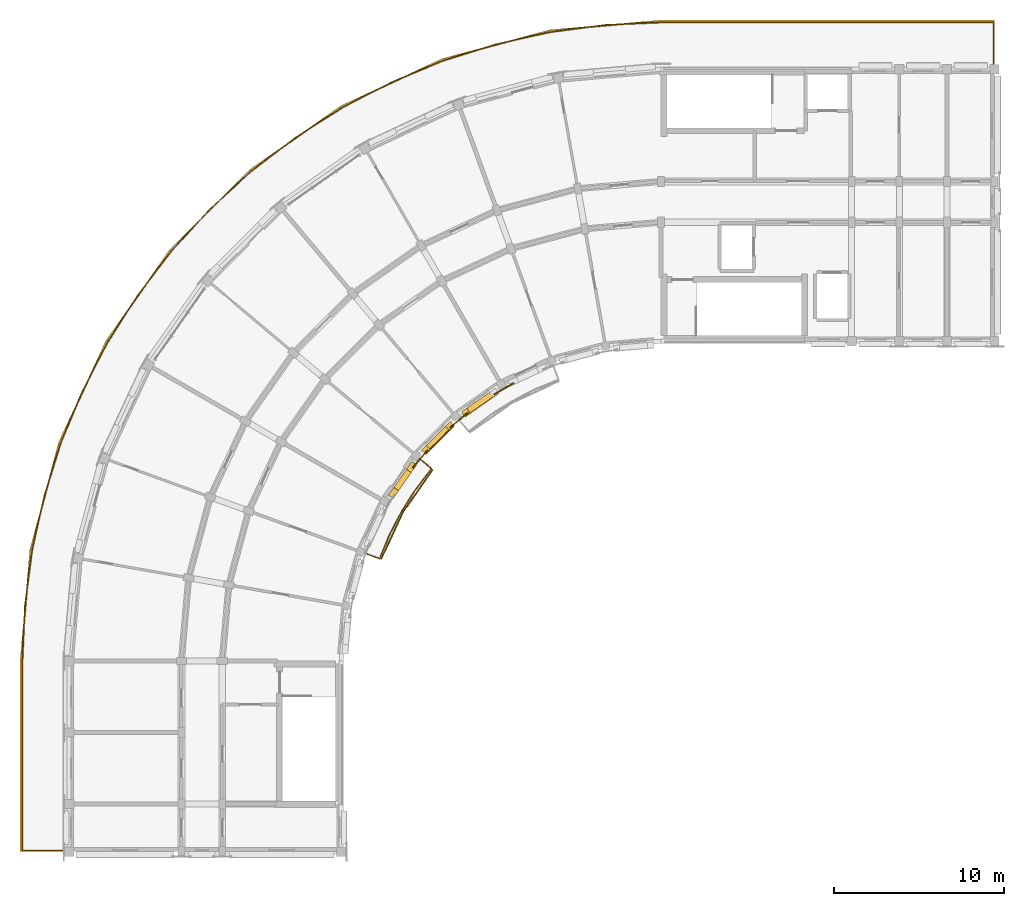
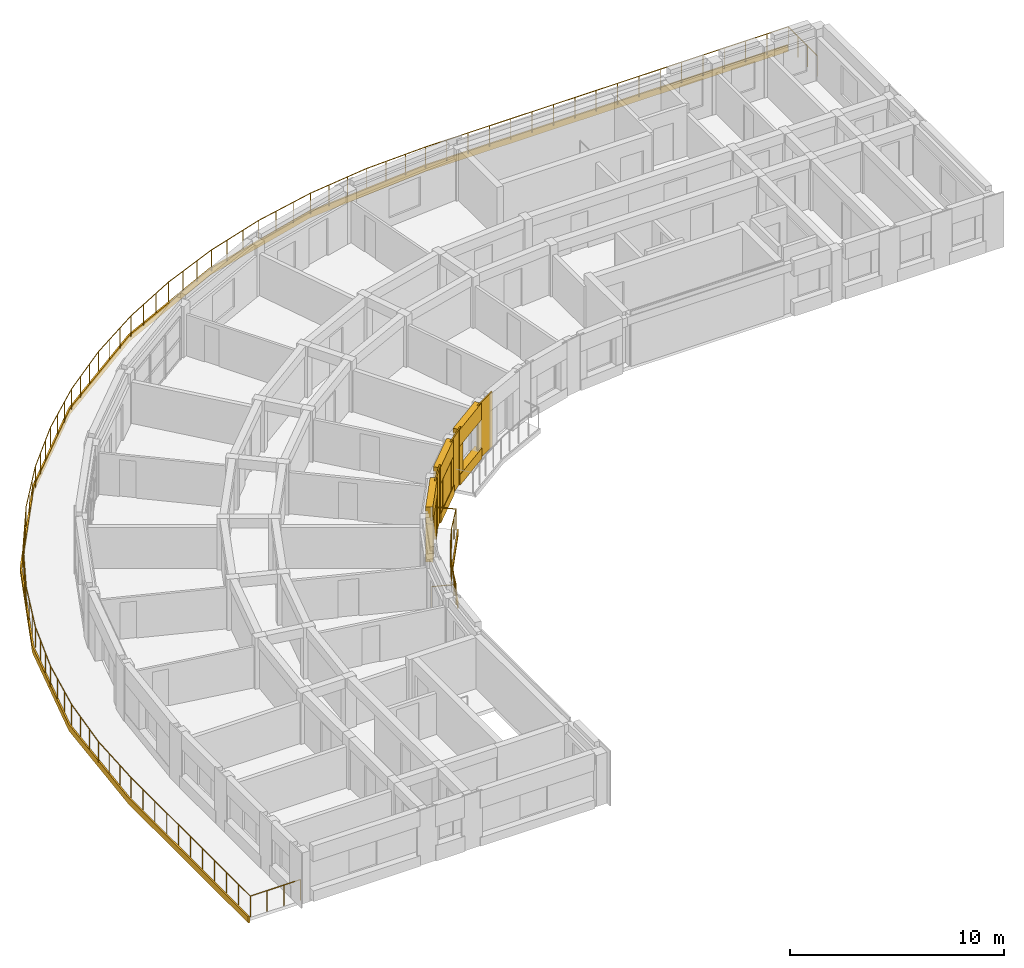
# One storey, part 12 of 14: 15 coverings, 2 railings, 1 shading device.
"""IFC4 building model written with IfcOpenShell, lengths in metres."""

import ifcopenshell
import ifcopenshell.guid

model = None  # the IFC model being written
_history = None  # IfcOwnerHistory: only IFC2X3 demands one
_inside = {}  # id of a spatial element -> (the spatial element, [elements in it])
_under = {}  # id of a project, library or spatial element -> (it, [spatial elements below it])
_declared = {}  # id of a project -> (the project, [libraries it declares])
_typed = {}  # id of a type object -> (the type object, [elements of that type])
_made_of = {}  # id of a material, layer set ... -> (it, [elements and type objects made of it])


def new_model(schema):
    """Start an empty IFC model of exactly this schema.

    Asked for "IFC4X3", IfcOpenShell would pick the latest addendum, in which some entities
    have other attributes; the version numbers below select the first issue.
    IFC2X3 requires an IfcOwnerHistory on every rooted entity: one is made here for all.
    """
    global model, _history
    if schema == "IFC4X3":
        model = ifcopenshell.file(schema_version=(4, 3, 0, 0))
    else:
        model = ifcopenshell.file(schema=schema)
    _inside.clear()
    _under.clear()
    _declared.clear()
    _typed.clear()
    _made_of.clear()
    _history = None
    if model.schema == "IFC2X3":
        org = make("IfcOrganization", Name="unknown")
        user = make(
            "IfcPersonAndOrganization",
            ThePerson=make("IfcPerson", FamilyName="unknown"),
            TheOrganization=org,
        )
        app = make(
            "IfcApplication",
            ApplicationDeveloper=org,
            Version="unknown",
            ApplicationFullName="unknown",
            ApplicationIdentifier="unknown",
        )
        _history = make(
            "IfcOwnerHistory",
            OwningUser=user,
            OwningApplication=app,
            ChangeAction="ADDED",
            CreationDate=0,
        )
    return model


def make(cls, **values):
    """One entity of the class cls with the attributes given. An attribute that is None is left unset."""
    return model.create_entity(
        cls, **{name: value for name, value in values.items() if value is not None}
    )


def rooted(cls, **values):
    """An entity with a GlobalId (a new one), such as an element, a storey or a relation."""
    return make(cls, GlobalId=ifcopenshell.guid.new(), OwnerHistory=_history, **values)


def si_unit(unit_type, name, prefix=None):
    """IfcSIUnit, for example si_unit("LENGTHUNIT", "METRE", prefix="MILLI")."""
    return make("IfcSIUnit", UnitType=unit_type, Prefix=prefix, Name=name)


def assignment(units):
    """IfcUnitAssignment: the units of a project."""
    return None if units is None else make("IfcUnitAssignment", Units=units)


def point(xyz):
    """IfcCartesianPoint."""
    return None if xyz is None else make("IfcCartesianPoint", Coordinates=xyz)


def direction(xyz):
    """IfcDirection."""
    return None if xyz is None else make("IfcDirection", DirectionRatios=xyz)


def frame(location, z_axis=None, x_axis=None):
    """IfcAxis2Placement3D, a coordinate frame: its origin and axes. An axis left out is left unset."""
    return make(
        "IfcAxis2Placement3D",
        Location=point(location),
        Axis=direction(z_axis),
        RefDirection=direction(x_axis),
    )


def frame_2d(location, x_axis=None):
    """IfcAxis2Placement2D, a coordinate frame in the plane: its origin and x axis."""
    return make(
        "IfcAxis2Placement2D", Location=point(location), RefDirection=direction(x_axis)
    )


def origin():
    """The frame at (0, 0, 0) with its axes left unset."""
    return frame((0.0, 0.0, 0.0))


def origin_2d():
    """The frame at (0, 0) in the plane with its x axis left unset."""
    return frame_2d((0.0, 0.0))


def place(relative_to, where):
    """IfcLocalPlacement: puts the frame where relative to a parent placement (None: the world)."""
    return make(
        "IfcLocalPlacement", PlacementRelTo=relative_to, RelativePlacement=where
    )


def context(
    kind, dimensions, precision=None, world=None, true_north=None, identifier=None
):
    """IfcGeometricRepresentationContext, for example the 3D "Model" context."""
    return make(
        "IfcGeometricRepresentationContext",
        ContextIdentifier=identifier,
        ContextType=kind,
        CoordinateSpaceDimension=dimensions,
        Precision=precision,
        WorldCoordinateSystem=world,
        TrueNorth=true_north,
    )


def subcontext(parent, identifier, kind, view, scale=None):
    """IfcGeometricRepresentationSubContext, for example "Body" below "Model"."""
    return make(
        "IfcGeometricRepresentationSubContext",
        ContextIdentifier=identifier,
        ContextType=kind,
        ParentContext=parent,
        TargetScale=scale,
        TargetView=view,
    )


def project(units=None, contexts=None):
    """IfcProject with its units and contexts."""
    return rooted(
        "IfcProject",
        Name="project",
        RepresentationContexts=contexts,
        UnitsInContext=assignment(units),
    )


def spatial(cls, under=None, at=None, **own):
    """A site, building, storey or space (cls), placed at a placement, below another one or the project."""
    s = rooted(cls, ObjectPlacement=at, **own)
    if under is not None:
        _under.setdefault(under.id(), (under, []))[1].append(s)
    return s


def polyline(points):
    """IfcPolyline through the points."""
    return make("IfcPolyline", Points=[point(p) for p in points])


def profile(cls, at=None, kind="AREA", **sizes):
    """A parametric profile (cls). Its sizes go by their IFC names, for example OverallWidth=200.0."""
    return make(cls, ProfileType=kind, Position=at, **sizes)


def rectangle(**sizes):
    """IfcRectangleProfileDef."""
    return profile("IfcRectangleProfileDef", **sizes)


def circle(**sizes):
    """IfcCircleProfileDef."""
    return profile("IfcCircleProfileDef", **sizes)


def outline(outer, holes=None, kind="AREA"):
    """IfcArbitraryClosedProfileDef: a profile drawn as a closed curve; with holes, ...WithVoids."""
    if holes is None:
        return make("IfcArbitraryClosedProfileDef", ProfileType=kind, OuterCurve=outer)
    return make(
        "IfcArbitraryProfileDefWithVoids",
        ProfileType=kind,
        OuterCurve=outer,
        InnerCurves=holes,
    )


def extrude(swept, where, along, depth):
    """IfcExtrudedAreaSolid: the profile swept, set in the frame where, extruded along a direction by depth."""
    return make(
        "IfcExtrudedAreaSolid",
        SweptArea=swept,
        Position=where,
        ExtrudedDirection=direction(along),
        Depth=depth,
    )


def shape(context_of_items, identifier, shape_type, items):
    """IfcShapeRepresentation: the items that make up one representation, for example the "Body"."""
    return make(
        "IfcShapeRepresentation",
        ContextOfItems=context_of_items,
        RepresentationIdentifier=identifier,
        RepresentationType=shape_type,
        Items=items,
    )


def material(Name=None, Category=None):
    """IfcMaterial."""
    return make("IfcMaterial", Name=Name, Category=Category)


def layer(
    of_material, thickness, ventilated=None, Name=None, Category=None, Priority=None
):
    """IfcMaterialLayer: one layer of a wall or slab, of a material (None: an air gap)."""
    return make(
        "IfcMaterialLayer",
        Material=of_material,
        LayerThickness=thickness,
        IsVentilated=ventilated,
        Name=Name,
        Category=Category,
        Priority=Priority,
    )


def layer_set(layers, Name=None):
    """IfcMaterialLayerSet."""
    return make("IfcMaterialLayerSet", MaterialLayers=layers, LayerSetName=Name)


def made_of(thing, what):
    """Note that an element or type object is made of a material, layer set ...; save() writes the relation."""
    if what is not None:
        _made_of.setdefault(what.id(), (what, []))[1].append(thing)
    return thing


def type_object(cls, material=None, **own):
    """A type object (cls), such as IfcWallType, which elements share."""
    return made_of(rooted(cls, **own), material)


def element(
    cls,
    number,
    at=None,
    inside=None,
    cuts=None,
    type_object=None,
    material=None,
    context=None,
    identifier="Body",
    shape_type=None,
    held_by="IfcProductDefinitionShape",
    body=None,
    shapes=None,
    **own,
):
    """One element of the class cls, such as IfcWall. Its Tag is "e" and its number.

    at: its placement. inside: the storey or other place that contains it. cuts: it is an
    opening in that element (IfcRelVoidsElement). A single representation is given by context,
    identifier, shape_type and body (its items); several are given by shapes. held_by: the class
    of the entity that holds the representations. save() writes the other relations.
    """
    e = rooted(cls, Tag="e%d" % number, ObjectPlacement=at, **own)
    if body is not None:
        shapes = [shape(context, identifier, shape_type, body)]
    if shapes is not None:
        e.Representation = make(held_by, Representations=shapes)
    if inside is not None:
        _inside.setdefault(inside.id(), (inside, []))[1].append(e)
    if cuts is not None:
        rooted(
            "IfcRelVoidsElement", RelatingBuildingElement=cuts, RelatedOpeningElement=e
        )
    if type_object is not None:
        _typed.setdefault(type_object.id(), (type_object, []))[1].append(e)
    return made_of(e, material)


def aggregate(whole, parts):
    """IfcRelAggregates: a whole, such as a stair, and the parts it consists of."""
    return rooted("IfcRelAggregates", RelatingObject=whole, RelatedObjects=parts)


def save(model, path):
    """Write the relations noted so far, then the file.

    IfcRelAggregates (storeys below a building ...), IfcRelContainedInSpatialStructure (elements
    in a storey), IfcRelDefinesByType, IfcRelAssociatesMaterial and IfcRelDeclares: one each for
    every whole, place, type object, material and project.
    """
    for whole, parts in _under.values():
        aggregate(whole, parts)
    for where, things in _inside.values():
        rooted(
            "IfcRelContainedInSpatialStructure",
            RelatedElements=things,
            RelatingStructure=where,
        )
    for kind, things in _typed.values():
        rooted("IfcRelDefinesByType", RelatedObjects=things, RelatingType=kind)
    for what, things in _made_of.values():
        rooted("IfcRelAssociatesMaterial", RelatedObjects=things, RelatingMaterial=what)
    for by, libraries in _declared.values():
        rooted("IfcRelDeclares", RelatingContext=by, RelatedDefinitions=libraries)
    model.write(path)


model = new_model("IFC4")

# Units and contexts
model_context = context("Model", 3, precision=1e-05, world=origin(), true_north=direction((0.0, 1.0)))
body_context = subcontext(model_context, "Body", "Model", "MODEL_VIEW")
ifc_project = project(units=[si_unit("LENGTHUNIT", "METRE"), si_unit("AREAUNIT", "SQUARE_METRE"), si_unit("VOLUMEUNIT", "CUBIC_METRE"), si_unit("PLANEANGLEUNIT", "RADIAN"), si_unit("MASSUNIT", "GRAM", prefix="KILO")], contexts=[model_context])

# Site, building, storey
site_placement = place(None, origin())
site = spatial("IfcSite", under=ifc_project, at=site_placement, CompositionType="ELEMENT")
building_placement = place(site_placement, origin())
building = spatial("IfcBuilding", under=site, at=building_placement, Name="Kiranvali Square Residences", CompositionType="ELEMENT")
storey_placement = place(building_placement, frame((0.0, 0.0, 49.64990234375)))
storey = spatial("IfcBuildingStorey", under=building, at=storey_placement, Name="L15", CompositionType="ELEMENT", Elevation=49.64990234375)

# Coverings
ifc_material_1 = material(Name="Carved Porbandar limestone classical entablature and cornice", Category="masonry")
ifc_layer_1 = layer(ifc_material_1, 0.449951171875)
ifc_layer_set_1 = layer_set([ifc_layer_1], Name="Carved Porbandar limestone classical entablature and cornice")
covering_type_1 = type_object("IfcCoveringType", Name="COV-CLAD-CORN", PredefinedType="CLADDING", material=ifc_layer_set_1)
covering_1_placement = place(storey_placement, frame((0.0, 0.0, -0.27978515625)))
element("IfcCovering", 1, at=covering_1_placement, inside=storey, type_object=covering_type_1, Name="Block A L15 stepped curved terrace stone cornice band", PredefinedType="CLADDING", context=body_context, shape_type="SweptSolid", body=[
    extrude(outline(polyline([(67.800048828125, 125.485107421875), (48.199951171875, 125.485107421875), (41.656005859375, 124.91259765625), (35.31103515625, 123.21240234375), (29.357421875, 120.436279296875), (23.9765625, 116.66845703125), (19.33154296875, 112.0234375), (15.563720703125, 106.642578125), (12.78759765625, 100.68896484375), (11.08740234375, 94.343994140625), (10.514892578125, 87.800048828125), (10.514892578125, 76.60009765625), (10.597900390625, 76.60009765625), (10.597900390625, 87.800048828125), (11.169189453125, 94.32958984375), (12.86572265625, 100.66064453125), (15.6357421875, 106.60107421875), (19.395263671875, 111.97021484375), (24.02978515625, 116.604736328125), (29.39892578125, 120.3642578125), (35.33935546875, 123.13427734375), (41.67041015625, 124.830810546875), (48.199951171875, 125.402099609375), (67.800048828125, 125.402099609375), (67.800048828125, 125.485107421875)])), origin(), (0.0, 0.0, 1.0), 0.35986328125),
])
ifc_layer_2 = layer(ifc_material_1, 0.06201171875)
ifc_layer_set_2 = layer_set([ifc_layer_2], Name="Carved Porbandar limestone classical entablature and cornice")
covering_type_2 = type_object("IfcCoveringType", Name="COV-CLAD-GBAL", PredefinedType="CLADDING", material=ifc_layer_set_2)
covering_2_placement = place(storey_placement, frame((0.0, 0.0, -0.219970703125)))
element("IfcCovering", 2, at=covering_2_placement, inside=storey, type_object=covering_type_2, Name="Block A L15 garden balcony limestone fascia 2", PredefinedType="CLADDING", context=body_context, shape_type="SweptSolid", body=[
    extrude(outline(polyline([(34.757568359375, 99.07958984375), (33.0029296875, 96.573974609375), (31.710205078125, 93.8017578125), (31.774169921875, 93.778564453125), (33.061767578125, 96.5400390625), (34.8095703125, 99.035888671875), (34.757568359375, 99.07958984375)])), origin(), (0.0, 0.0, 1.0), 0.27001953125),
])
ifc_material_2 = material(Name="Honed Porbandar limestone ashlar facade cladding", Category="masonry")
ifc_layer_3 = layer(ifc_material_2, 0.3798828125)
ifc_layer_set_3 = layer_set([ifc_layer_3], Name="Honed Porbandar limestone ashlar facade cladding")
covering_type_3 = type_object("IfcCoveringType", Name="COV-CLAD-JAMB", PredefinedType="CLADDING", material=ifc_layer_set_3)
covering_3_placement = place(storey_placement, frame((0.0, 0.0, 0.60205078125)))
element("IfcCovering", 3, at=covering_3_placement, inside=storey, type_object=covering_type_3, Name="L15 deep limestone window jamb reveal A-L15-GDN-03.R", PredefinedType="CLADDING", context=body_context, shape_type="SweptSolid", body=[
    extrude(outline(polyline([(36.7822265625, 102.66796875), (36.476318359375, 102.45361328125), (36.671142578125, 102.175537109375), (36.97705078125, 102.3896484375), (36.7822265625, 102.66796875)])), origin(), (0.0, 0.0, 1.0), 1.60009765625),
])
covering_4_placement = place(storey_placement, frame((0.0, 0.0, 0.552001953125)))
element("IfcCovering", 4, at=covering_4_placement, inside=storey, type_object=covering_type_3, Name="L15 deep limestone window jamb reveal A-L15-GDN-04.L", PredefinedType="CLADDING", context=body_context, shape_type="SweptSolid", body=[
    extrude(outline(polyline([(35.804931640625, 101.89013671875), (35.52294921875, 101.6083984375), (35.76318359375, 101.368408203125), (36.044921875, 101.650146484375), (35.804931640625, 101.89013671875)])), origin(), (0.0, 0.0, 1.0), 1.650146484375),
])
covering_5_placement = place(storey_placement, frame((0.0, 0.0, 0.552001953125)))
element("IfcCovering", 5, at=covering_5_placement, inside=storey, type_object=covering_type_3, Name="L15 deep limestone window jamb reveal A-L15-GDN-04.R", PredefinedType="CLADDING", context=body_context, shape_type="SweptSolid", body=[
    extrude(outline(polyline([(34.3916015625, 100.47705078125), (34.10986328125, 100.195068359375), (34.349853515625, 99.955078125), (34.631591796875, 100.23681640625), (34.3916015625, 100.47705078125)])), origin(), (0.0, 0.0, 1.0), 1.650146484375),
])
covering_6_placement = place(storey_placement, origin())
element("IfcCovering", 6, at=covering_6_placement, inside=storey, type_object=covering_type_3, Name="L15 deep limestone window jamb reveal A-L15-GDN-05.L", PredefinedType="CLADDING", context=body_context, shape_type="SweptSolid", body=[
    extrude(outline(polyline([(33.54638671875, 99.523681640625), (33.231689453125, 99.074462890625), (33.509765625, 98.879638671875), (33.824462890625, 99.328857421875), (33.54638671875, 99.523681640625)])), origin(), (0.0, 0.0, 1.0), 2.18017578125),
])
covering_7_placement = place(storey_placement, origin())
element("IfcCovering", 7, at=covering_7_placement, inside=storey, type_object=covering_type_3, Name="L15 deep limestone window jamb reveal A-L15-GDN-05.R", PredefinedType="CLADDING", context=body_context, shape_type="SweptSolid", body=[
    extrude(outline(polyline([(32.486083984375, 98.009521484375), (32.171630859375, 97.56005859375), (32.44970703125, 97.365478515625), (32.76416015625, 97.814697265625), (32.486083984375, 98.009521484375)])), origin(), (0.0, 0.0, 1.0), 2.18017578125),
])
ifc_layer_4 = layer(ifc_material_2, 0.050048828125)
ifc_layer_set_4 = layer_set([ifc_layer_4], Name="Honed Porbandar limestone ashlar facade cladding")
covering_type_4 = type_object("IfcCoveringType", Name="COV-CLAD-PIER-IN", PredefinedType="CLADDING", material=ifc_layer_set_4)
covering_8_placement = place(storey_placement, frame((0.0, 0.0, 0.005126953125)))
element("IfcCovering", 8, at=covering_8_placement, inside=storey, type_object=covering_type_4, Name="L15 Classical garden courtyard pilaster CLAD-PRIN-A-L15-A03", PredefinedType="CLADDING", context=body_context, shape_type="SweptSolid", body=[
    extrude(outline(polyline([(38.386962890625, 103.44677734375), (39.55615234375, 104.121826171875), (39.522216796875, 104.18017578125), (38.353271484375, 103.505126953125), (38.386962890625, 103.44677734375)])), origin(), (0.0, 0.0, 1.0), 3.139892578125),
])
covering_9_placement = place(storey_placement, frame((0.0, 0.0, 0.005126953125)))
element("IfcCovering", 9, at=covering_9_placement, inside=storey, type_object=covering_type_4, Name="L15 Classical garden courtyard pilaster CLAD-PRIN-A-L15-A04", PredefinedType="CLADDING", context=body_context, shape_type="SweptSolid", body=[
    extrude(outline(polyline([(35.819091796875, 101.5048828125), (36.853271484375, 102.372802734375), (36.809814453125, 102.424560546875), (35.775634765625, 101.556640625), (35.819091796875, 101.5048828125)])), origin(), (0.0, 0.0, 1.0), 3.139892578125),
])
covering_10_placement = place(storey_placement, frame((0.0, 0.0, 0.005126953125)))
element("IfcCovering", 10, at=covering_10_placement, inside=storey, type_object=covering_type_4, Name="L15 Classical garden courtyard pilaster CLAD-PRIN-A-L15-A05", PredefinedType="CLADDING", context=body_context, shape_type="SweptSolid", body=[
    extrude(outline(polyline([(33.627197265625, 99.146728515625), (34.4951171875, 100.180908203125), (34.443359375, 100.224365234375), (33.575439453125, 99.190185546875), (33.627197265625, 99.146728515625)])), origin(), (0.0, 0.0, 1.0), 3.139892578125),
])
ifc_layer_5 = layer(ifc_material_2, 0.360107421875)
ifc_layer_set_5 = layer_set([ifc_layer_5], Name="Honed Porbandar limestone ashlar facade cladding")
covering_type_5 = type_object("IfcCoveringType", Name="COV-CLAD-WALL", PredefinedType="CLADDING", material=ifc_layer_set_5)
covering_11_placement = place(storey_placement, frame((0.0, 0.0, 2.2021484375)))
element("IfcCovering", 11, at=covering_11_placement, inside=storey, type_object=covering_type_5, Name="L15 light limestone spandrel lintel A-L15-GDN-03", PredefinedType="CLADDING", context=body_context, shape_type="SweptSolid", body=[
    extrude(outline(polyline([(38.43994140625, 103.828369140625), (36.476318359375, 102.45361328125), (36.671142578125, 102.175537109375), (38.634521484375, 103.55029296875), (38.43994140625, 103.828369140625)])), origin(), (0.0, 0.0, 1.0), 0.94287109375),
])
covering_12_placement = place(storey_placement, frame((0.0, 0.0, 2.2021484375)))
element("IfcCovering", 12, at=covering_12_placement, inside=storey, type_object=covering_type_5, Name="L15 light limestone spandrel lintel A-L15-GDN-04", PredefinedType="CLADDING", context=body_context, shape_type="SweptSolid", body=[
    extrude(outline(polyline([(35.804931640625, 101.89013671875), (34.10986328125, 100.195068359375), (34.349853515625, 99.955078125), (36.044921875, 101.650146484375), (35.804931640625, 101.89013671875)])), origin(), (0.0, 0.0, 1.0), 0.94287109375),
])
covering_13_placement = place(storey_placement, frame((0.0, 0.0, 2.18017578125)))
element("IfcCovering", 13, at=covering_13_placement, inside=storey, type_object=covering_type_5, Name="L15 light limestone spandrel lintel A-L15-GDN-05", PredefinedType="CLADDING", context=body_context, shape_type="SweptSolid", body=[
    extrude(outline(polyline([(33.54638671875, 99.523681640625), (32.171630859375, 97.56005859375), (32.44970703125, 97.365478515625), (33.824462890625, 99.328857421875), (33.54638671875, 99.523681640625)])), origin(), (0.0, 0.0, 1.0), 0.96484375),
])
ifc_layer_6 = layer(ifc_material_2, 0.320068359375)
ifc_layer_set_6 = layer_set([ifc_layer_6], Name="Honed Porbandar limestone ashlar facade cladding")
covering_type_6 = type_object("IfcCoveringType", Name="COV-CLAD-WALL-UP", PredefinedType="CLADDING", material=ifc_layer_set_6)
covering_14_placement = place(storey_placement, frame((0.0, 0.0, 0.005126953125)))
element("IfcCovering", 14, at=covering_14_placement, inside=storey, type_object=covering_type_6, Name="L15 limestone window sill apron A-L15-GDN-03", PredefinedType="CLADDING", context=body_context, shape_type="SweptSolid", body=[
    extrude(outline(polyline([(38.43994140625, 103.828369140625), (36.476318359375, 102.45361328125), (36.688232421875, 102.15087890625), (38.65185546875, 103.52587890625), (38.43994140625, 103.828369140625)])), origin(), (0.0, 0.0, 1.0), 0.596923828125),
])
covering_15_placement = place(storey_placement, frame((0.0, 0.0, 0.005126953125)))
element("IfcCovering", 15, at=covering_15_placement, inside=storey, type_object=covering_type_6, Name="L15 limestone window sill apron A-L15-GDN-04", PredefinedType="CLADDING", context=body_context, shape_type="SweptSolid", body=[
    extrude(outline(polyline([(35.804931640625, 101.89013671875), (34.10986328125, 100.195068359375), (34.37109375, 99.933837890625), (36.066162109375, 101.62890625), (35.804931640625, 101.89013671875)])), origin(), (0.0, 0.0, 1.0), 0.546875),
])

# Railings
ifc_material_3 = material(Name="Powder-coated architectural bronze balustrade", Category="steel")
railing_type_1 = type_object("IfcRailingType", Name="RL-BAL-GOLD-1200", PredefinedType="BALUSTRADE", material=ifc_material_3)
railing_1_placement = place(storey_placement, frame((33.8291015625, 99.858642578125, 0.0)))
element("IfcRailing", 16, at=railing_1_placement, inside=storey, type_object=railing_type_1, Name="Block A L15 garden balcony gold balustrade 2", PredefinedType="BALUSTRADE", context=body_context, shape_type="SweptSolid", body=[
    extrude(circle(Radius=0.02392578125, at=origin_2d()), frame((0.0, 0.0, 1.17578125), z_axis=(0.765989188314, -0.642853454051, 0.0), x_axis=(0.642853454051, 0.765989188314, 0.0)), (0.0, 0.0, 1.0), 1.14990234375),
    extrude(circle(Radius=0.02392578125, at=origin_2d()), frame((0.880859375, -0.7392578125, 1.17578125), z_axis=(-0.608811807471, -0.793314680996, 0.0), x_axis=(0.793314680996, -0.608811807471, 0.0)), (0.0, 0.0, 1.0), 1.536376953125),
    extrude(circle(Radius=0.02392578125, at=origin_2d()), frame((-0.054443359375, -1.9580078125, 1.17578125), z_axis=(-0.537307309343, -0.843386539688, 0.0), x_axis=(0.843386539688, -0.537307309343, 0.0)), (0.0, 0.0, 1.0), 1.5361328125),
    extrude(circle(Radius=0.02392578125, at=origin_2d()), frame((-0.8798828125, -3.253662109375, 1.17578125), z_axis=(-0.461713009976, -0.887029366154, 0.0), x_axis=(0.887029366154, -0.461713009976, 0.0)), (0.0, 0.0, 1.0), 1.5361328125),
    extrude(circle(Radius=0.02392578125, at=origin_2d()), frame((-1.589111328125, -4.6162109375, 1.17578125), z_axis=(-0.382651197843, -0.923892883829, 0.0), x_axis=(0.923892883829, -0.382651197843, 0.0)), (0.0, 0.0, 1.0), 1.536376953125),
    extrude(circle(Radius=0.02392578125, at=origin_2d()), frame((-2.177001953125, -6.03564453125, 1.17578125), z_axis=(-0.939712828289, 0.341964618562, 0.0), x_axis=(-0.341964618562, -0.939712828289, 0.0)), (0.0, 0.0, 1.0), 1.150146484375),
    extrude(circle(Radius=0.02099609375, at=origin_2d()), origin(), (0.0, 0.0, 1.0), 1.15185546875),
    extrude(circle(Radius=0.02099609375, at=origin_2d()), frame((0.880859375, -0.7392578125, 0.0)), (0.0, 0.0, 1.0), 1.15185546875),
    extrude(circle(Radius=0.02099609375, at=origin_2d()), frame((0.4130859375, -1.3486328125, 0.0)), (0.0, 0.0, 1.0), 1.15185546875),
    extrude(circle(Radius=0.02099609375, at=origin_2d()), frame((-0.054443359375, -1.9580078125, 0.0)), (0.0, 0.0, 1.0), 1.15185546875),
    extrude(circle(Radius=0.02099609375, at=origin_2d()), frame((-0.46728515625, -2.60595703125, 0.0)), (0.0, 0.0, 1.0), 1.15185546875),
    extrude(circle(Radius=0.02099609375, at=origin_2d()), frame((-0.8798828125, -3.253662109375, 0.0)), (0.0, 0.0, 1.0), 1.15185546875),
    extrude(circle(Radius=0.02099609375, at=origin_2d()), frame((-1.234375, -3.93505859375, 0.0)), (0.0, 0.0, 1.0), 1.15185546875),
    extrude(circle(Radius=0.02099609375, at=origin_2d()), frame((-1.589111328125, -4.6162109375, 0.0)), (0.0, 0.0, 1.0), 1.15185546875),
    extrude(circle(Radius=0.02099609375, at=origin_2d()), frame((-1.883056640625, -5.325927734375, 0.0)), (0.0, 0.0, 1.0), 1.15185546875),
    extrude(circle(Radius=0.02099609375, at=origin_2d()), frame((-2.177001953125, -6.03564453125, 0.0)), (0.0, 0.0, 1.0), 1.15185546875),
    extrude(circle(Radius=0.02099609375, at=origin_2d()), frame((-3.2578125, -5.642333984375, 0.0)), (0.0, 0.0, 1.0), 1.15185546875),
])
railing_type_2 = type_object("IfcRailingType", Name="RL-TER-GOLD-1200", PredefinedType="BALUSTRADE", material=ifc_material_3)
railing_2_placement = place(storey_placement, frame((67.75, 122.639892578125, 0.0)))
element("IfcRailing", 17, at=railing_2_placement, inside=storey, type_object=railing_type_2, Name="Block A L15 stepped curved corner terrace gold balustrade", PredefinedType="BALUSTRADE", context=body_context, shape_type="SweptSolid", body=[
    extrude(circle(Radius=0.02392578125, at=origin_2d()), frame((0.0, 0.0, 1.17578125), z_axis=(0.0, 1.0, 0.0), x_axis=(-1.0, 0.0, 0.0)), (0.0, 0.0, 1.0), 2.7001953125),
    extrude(circle(Radius=0.02392578125, at=origin_2d()), frame((0.0, 2.7001953125, 1.17578125), z_axis=(-1.0, 0.0, 0.0), x_axis=(0.0, -1.0, 0.0)), (0.0, 0.0, 1.0), 19.550048828125),
    extrude(circle(Radius=0.02392578125, at=origin_2d()), frame((-19.550048828125, 2.7001953125, 1.17578125), z_axis=(-0.99904854739, -0.0436119245, 0.0), x_axis=(0.0436119245, -0.99904854739, 0.0)), (0.0, 0.0, 1.0), 3.27490234375),
    extrude(circle(Radius=0.02392578125, at=origin_2d()), frame((-22.82177734375, 2.557373046875, 1.17578125), z_axis=(-0.991444651245, -0.130527788296, 0.0), x_axis=(0.130527788296, -0.991444651245, 0.0)), (0.0, 0.0, 1.0), 3.275146484375),
    extrude(circle(Radius=0.02392578125, at=origin_2d()), frame((-26.06884765625, 2.1298828125, 1.17578125), z_axis=(-0.97628518852, -0.216488407717, 0.0), x_axis=(0.216488407717, -0.97628518852, 0.0)), (0.0, 0.0, 1.0), 3.27490234375),
    extrude(circle(Radius=0.02392578125, at=origin_2d()), frame((-29.26611328125, 1.4208984375, 1.17578125), z_axis=(-0.953730150177, -0.300663933062, 0.0), x_axis=(0.300663933062, -0.953730150177, 0.0)), (0.0, 0.0, 1.0), 3.27490234375),
    extrude(circle(Radius=0.02392578125, at=origin_2d()), frame((-32.389404296875, 0.436279296875, 1.17578125), z_axis=(-0.923862365102, -0.382724875529, 0.0), x_axis=(0.382724875529, -0.923862365102, 0.0)), (0.0, 0.0, 1.0), 3.27490234375),
    extrude(circle(Radius=0.02392578125, at=origin_2d()), frame((-35.4150390625, -0.817138671875, 1.17578125), z_axis=(-0.887017774073, -0.461735279655, 0.0), x_axis=(0.461735279655, -0.887017774073, 0.0)), (0.0, 0.0, 1.0), 3.275146484375),
    extrude(circle(Radius=0.02392578125, at=origin_2d()), frame((-38.320068359375, -2.329345703125, 1.17578125), z_axis=(-0.843397386884, -0.537290282619, 0.0), x_axis=(0.537290282619, -0.843397386884, 0.0)), (0.0, 0.0, 1.0), 3.27490234375),
    extrude(circle(Radius=0.02392578125, at=origin_2d()), frame((-41.08203125, -4.0888671875, 1.17578125), z_axis=(-0.793349516831, -0.608766411806, 0.0), x_axis=(0.608766411806, -0.793349516831, 0.0)), (0.0, 0.0, 1.0), 3.27490234375),
    extrude(circle(Radius=0.02392578125, at=origin_2d()), frame((-43.68017578125, -6.08251953125, 1.17578125), z_axis=(-0.737259339497, -0.675609847711, 0.0), x_axis=(0.675609847711, -0.737259339497, 0.0)), (0.0, 0.0, 1.0), 3.275146484375),
    extrude(circle(Radius=0.02392578125, at=origin_2d()), frame((-46.0947265625, -8.295166015625, 1.17578125), z_axis=(-0.675609847711, -0.737259339497, 0.0), x_axis=(0.737259339497, -0.675609847711, 0.0)), (0.0, 0.0, 1.0), 3.275146484375),
    extrude(circle(Radius=0.02392578125, at=origin_2d()), frame((-48.307373046875, -10.709716796875, 1.17578125), z_axis=(-0.608766411806, -0.793349516831, 0.0), x_axis=(0.793349516831, -0.608766411806, 0.0)), (0.0, 0.0, 1.0), 3.27490234375),
    extrude(circle(Radius=0.02392578125, at=origin_2d()), frame((-50.301025390625, -13.307861328125, 1.17578125), z_axis=(-0.537290282619, -0.843397386884, 0.0), x_axis=(0.843397386884, -0.537290282619, 0.0)), (0.0, 0.0, 1.0), 3.27490234375),
    extrude(circle(Radius=0.02392578125, at=origin_2d()), frame((-52.060546875, -16.06982421875, 1.17578125), z_axis=(-0.461735279655, -0.887017774073, 0.0), x_axis=(0.887017774073, -0.461735279655, 0.0)), (0.0, 0.0, 1.0), 3.275146484375),
    extrude(circle(Radius=0.02392578125, at=origin_2d()), frame((-53.57275390625, -18.974853515625, 1.17578125), z_axis=(-0.382724875529, -0.923862365102, 0.0), x_axis=(0.923862365102, -0.382724875529, 0.0)), (0.0, 0.0, 1.0), 3.27490234375),
    extrude(circle(Radius=0.02392578125, at=origin_2d()), frame((-54.826171875, -22.00048828125, 1.17578125), z_axis=(-0.300663933062, -0.953730150177, 0.0), x_axis=(0.953730150177, -0.300663933062, 0.0)), (0.0, 0.0, 1.0), 3.27490234375),
    extrude(circle(Radius=0.02392578125, at=origin_2d()), frame((-55.810791015625, -25.123779296875, 1.17578125), z_axis=(-0.216488407717, -0.97628518852, 0.0), x_axis=(0.97628518852, -0.216488407717, 0.0)), (0.0, 0.0, 1.0), 3.27490234375),
    extrude(circle(Radius=0.02392578125, at=origin_2d()), frame((-56.519775390625, -28.321044921875, 1.17578125), z_axis=(-0.130527788296, -0.991444651245, 0.0), x_axis=(0.991444651245, -0.130527788296, 0.0)), (0.0, 0.0, 1.0), 3.275146484375),
    extrude(circle(Radius=0.02392578125, at=origin_2d()), frame((-56.947265625, -31.568115234375, 1.17578125), z_axis=(-0.0436119245, -0.99904854739, 0.0), x_axis=(0.99904854739, -0.0436119245, 0.0)), (0.0, 0.0, 1.0), 3.27490234375),
    extrude(circle(Radius=0.02392578125, at=origin_2d()), frame((-57.090087890625, -34.83984375, 1.17578125), z_axis=(0.0, -1.0, 0.0), x_axis=(1.0, 0.0, 0.0)), (0.0, 0.0, 1.0), 11.150146484375),
    extrude(circle(Radius=0.02392578125, at=origin_2d()), frame((-57.090087890625, -45.989990234375, 1.17578125), z_axis=(1.0, 0.0, 0.0), x_axis=(0.0, 1.0, 0.0)), (0.0, 0.0, 1.0), 2.7001953125),
    extrude(circle(Radius=0.02099609375, at=origin_2d()), origin(), (0.0, 0.0, 1.0), 1.15185546875),
    extrude(circle(Radius=0.02099609375, at=origin_2d()), frame((0.0, 0.900146484375, 0.0)), (0.0, 0.0, 1.0), 1.15185546875),
    extrude(circle(Radius=0.02099609375, at=origin_2d()), frame((0.0, 1.800048828125, 0.0)), (0.0, 0.0, 1.0), 1.15185546875),
    extrude(circle(Radius=0.02099609375, at=origin_2d()), frame((0.0, 2.7001953125, 0.0)), (0.0, 0.0, 1.0), 1.15185546875),
    extrude(circle(Radius=0.02099609375, at=origin_2d()), frame((-1.14990234375, 2.7001953125, 0.0)), (0.0, 0.0, 1.0), 1.15185546875),
    extrude(circle(Radius=0.02099609375, at=origin_2d()), frame((-2.300048828125, 2.7001953125, 0.0)), (0.0, 0.0, 1.0), 1.15185546875),
    extrude(circle(Radius=0.02099609375, at=origin_2d()), frame((-3.449951171875, 2.7001953125, 0.0)), (0.0, 0.0, 1.0), 1.15185546875),
    extrude(circle(Radius=0.02099609375, at=origin_2d()), frame((-4.60009765625, 2.7001953125, 0.0)), (0.0, 0.0, 1.0), 1.15185546875),
    extrude(circle(Radius=0.02099609375, at=origin_2d()), frame((-5.75, 2.7001953125, 0.0)), (0.0, 0.0, 1.0), 1.15185546875),
    extrude(circle(Radius=0.02099609375, at=origin_2d()), frame((-6.89990234375, 2.7001953125, 0.0)), (0.0, 0.0, 1.0), 1.15185546875),
    extrude(circle(Radius=0.02099609375, at=origin_2d()), frame((-8.050048828125, 2.7001953125, 0.0)), (0.0, 0.0, 1.0), 1.15185546875),
    extrude(circle(Radius=0.02099609375, at=origin_2d()), frame((-9.199951171875, 2.7001953125, 0.0)), (0.0, 0.0, 1.0), 1.15185546875),
    extrude(circle(Radius=0.02099609375, at=origin_2d()), frame((-10.35009765625, 2.7001953125, 0.0)), (0.0, 0.0, 1.0), 1.15185546875),
    extrude(circle(Radius=0.02099609375, at=origin_2d()), frame((-11.5, 2.7001953125, 0.0)), (0.0, 0.0, 1.0), 1.15185546875),
    extrude(circle(Radius=0.02099609375, at=origin_2d()), frame((-12.650146484375, 2.7001953125, 0.0)), (0.0, 0.0, 1.0), 1.15185546875),
    extrude(circle(Radius=0.02099609375, at=origin_2d()), frame((-13.800048828125, 2.7001953125, 0.0)), (0.0, 0.0, 1.0), 1.15185546875),
    extrude(circle(Radius=0.02099609375, at=origin_2d()), frame((-14.949951171875, 2.7001953125, 0.0)), (0.0, 0.0, 1.0), 1.15185546875),
    extrude(circle(Radius=0.02099609375, at=origin_2d()), frame((-16.10009765625, 2.7001953125, 0.0)), (0.0, 0.0, 1.0), 1.15185546875),
    extrude(circle(Radius=0.02099609375, at=origin_2d()), frame((-17.25, 2.7001953125, 0.0)), (0.0, 0.0, 1.0), 1.15185546875),
    extrude(circle(Radius=0.02099609375, at=origin_2d()), frame((-18.400146484375, 2.7001953125, 0.0)), (0.0, 0.0, 1.0), 1.15185546875),
    extrude(circle(Radius=0.02099609375, at=origin_2d()), frame((-19.550048828125, 2.7001953125, 0.0)), (0.0, 0.0, 1.0), 1.15185546875),
    extrude(circle(Radius=0.02099609375, at=origin_2d()), frame((-20.640625, 2.652587890625, 0.0)), (0.0, 0.0, 1.0), 1.15185546875),
    extrude(circle(Radius=0.02099609375, at=origin_2d()), frame((-21.731201171875, 2.60498046875, 0.0)), (0.0, 0.0, 1.0), 1.15185546875),
    extrude(circle(Radius=0.02099609375, at=origin_2d()), frame((-22.82177734375, 2.557373046875, 0.0)), (0.0, 0.0, 1.0), 1.15185546875),
    extrude(circle(Radius=0.02099609375, at=origin_2d()), frame((-23.904052734375, 2.414794921875, 0.0)), (0.0, 0.0, 1.0), 1.15185546875),
    extrude(circle(Radius=0.02099609375, at=origin_2d()), frame((-24.986572265625, 2.2724609375, 0.0)), (0.0, 0.0, 1.0), 1.15185546875),
    extrude(circle(Radius=0.02099609375, at=origin_2d()), frame((-26.06884765625, 2.1298828125, 0.0)), (0.0, 0.0, 1.0), 1.15185546875),
    extrude(circle(Radius=0.02099609375, at=origin_2d()), frame((-27.134521484375, 1.8935546875, 0.0)), (0.0, 0.0, 1.0), 1.15185546875),
    extrude(circle(Radius=0.02099609375, at=origin_2d()), frame((-28.200439453125, 1.6572265625, 0.0)), (0.0, 0.0, 1.0), 1.15185546875),
    extrude(circle(Radius=0.02099609375, at=origin_2d()), frame((-29.26611328125, 1.4208984375, 0.0)), (0.0, 0.0, 1.0), 1.15185546875),
    extrude(circle(Radius=0.02099609375, at=origin_2d()), frame((-30.30712890625, 1.0927734375, 0.0)), (0.0, 0.0, 1.0), 1.15185546875),
    extrude(circle(Radius=0.02099609375, at=origin_2d()), frame((-31.348388671875, 0.764404296875, 0.0)), (0.0, 0.0, 1.0), 1.15185546875),
    extrude(circle(Radius=0.02099609375, at=origin_2d()), frame((-32.389404296875, 0.436279296875, 0.0)), (0.0, 0.0, 1.0), 1.15185546875),
    extrude(circle(Radius=0.02099609375, at=origin_2d()), frame((-33.39794921875, 0.0185546875, 0.0)), (0.0, 0.0, 1.0), 1.15185546875),
    extrude(circle(Radius=0.02099609375, at=origin_2d()), frame((-34.406494140625, -0.3994140625, 0.0)), (0.0, 0.0, 1.0), 1.15185546875),
    extrude(circle(Radius=0.02099609375, at=origin_2d()), frame((-35.4150390625, -0.817138671875, 0.0)), (0.0, 0.0, 1.0), 1.15185546875),
    extrude(circle(Radius=0.02099609375, at=origin_2d()), frame((-36.38330078125, -1.3212890625, 0.0)), (0.0, 0.0, 1.0), 1.15185546875),
    extrude(circle(Radius=0.02099609375, at=origin_2d()), frame((-37.351806640625, -1.8251953125, 0.0)), (0.0, 0.0, 1.0), 1.15185546875),
    extrude(circle(Radius=0.02099609375, at=origin_2d()), frame((-38.320068359375, -2.329345703125, 0.0)), (0.0, 0.0, 1.0), 1.15185546875),
    extrude(circle(Radius=0.02099609375, at=origin_2d()), frame((-39.24072265625, -2.915771484375, 0.0)), (0.0, 0.0, 1.0), 1.15185546875),
    extrude(circle(Radius=0.02099609375, at=origin_2d()), frame((-40.161376953125, -3.50244140625, 0.0)), (0.0, 0.0, 1.0), 1.15185546875),
    extrude(circle(Radius=0.02099609375, at=origin_2d()), frame((-41.08203125, -4.0888671875, 0.0)), (0.0, 0.0, 1.0), 1.15185546875),
    extrude(circle(Radius=0.02099609375, at=origin_2d()), frame((-41.947998046875, -4.75341796875, 0.0)), (0.0, 0.0, 1.0), 1.15185546875),
    extrude(circle(Radius=0.02099609375, at=origin_2d()), frame((-42.814208984375, -5.41796875, 0.0)), (0.0, 0.0, 1.0), 1.15185546875),
    extrude(circle(Radius=0.02099609375, at=origin_2d()), frame((-43.68017578125, -6.08251953125, 0.0)), (0.0, 0.0, 1.0), 1.15185546875),
    extrude(circle(Radius=0.02099609375, at=origin_2d()), frame((-44.485107421875, -6.820068359375, 0.0)), (0.0, 0.0, 1.0), 1.15185546875),
    extrude(circle(Radius=0.02099609375, at=origin_2d()), frame((-45.289794921875, -7.5576171875, 0.0)), (0.0, 0.0, 1.0), 1.15185546875),
    extrude(circle(Radius=0.02099609375, at=origin_2d()), frame((-46.0947265625, -8.295166015625, 0.0)), (0.0, 0.0, 1.0), 1.15185546875),
    extrude(circle(Radius=0.02099609375, at=origin_2d()), frame((-46.832275390625, -9.10009765625, 0.0)), (0.0, 0.0, 1.0), 1.15185546875),
    extrude(circle(Radius=0.02099609375, at=origin_2d()), frame((-47.56982421875, -9.90478515625, 0.0)), (0.0, 0.0, 1.0), 1.15185546875),
    extrude(circle(Radius=0.02099609375, at=origin_2d()), frame((-48.307373046875, -10.709716796875, 0.0)), (0.0, 0.0, 1.0), 1.15185546875),
    extrude(circle(Radius=0.02099609375, at=origin_2d()), frame((-48.971923828125, -11.57568359375, 0.0)), (0.0, 0.0, 1.0), 1.15185546875),
    extrude(circle(Radius=0.02099609375, at=origin_2d()), frame((-49.636474609375, -12.44189453125, 0.0)), (0.0, 0.0, 1.0), 1.15185546875),
    extrude(circle(Radius=0.02099609375, at=origin_2d()), frame((-50.301025390625, -13.307861328125, 0.0)), (0.0, 0.0, 1.0), 1.15185546875),
    extrude(circle(Radius=0.02099609375, at=origin_2d()), frame((-50.887451171875, -14.228515625, 0.0)), (0.0, 0.0, 1.0), 1.15185546875),
    extrude(circle(Radius=0.02099609375, at=origin_2d()), frame((-51.47412109375, -15.149169921875, 0.0)), (0.0, 0.0, 1.0), 1.15185546875),
    extrude(circle(Radius=0.02099609375, at=origin_2d()), frame((-52.060546875, -16.06982421875, 0.0)), (0.0, 0.0, 1.0), 1.15185546875),
    extrude(circle(Radius=0.02099609375, at=origin_2d()), frame((-52.564697265625, -17.0380859375, 0.0)), (0.0, 0.0, 1.0), 1.15185546875),
    extrude(circle(Radius=0.02099609375, at=origin_2d()), frame((-53.068603515625, -18.006591796875, 0.0)), (0.0, 0.0, 1.0), 1.15185546875),
    extrude(circle(Radius=0.02099609375, at=origin_2d()), frame((-53.57275390625, -18.974853515625, 0.0)), (0.0, 0.0, 1.0), 1.15185546875),
    extrude(circle(Radius=0.02099609375, at=origin_2d()), frame((-53.990478515625, -19.9833984375, 0.0)), (0.0, 0.0, 1.0), 1.15185546875),
    extrude(circle(Radius=0.02099609375, at=origin_2d()), frame((-54.408447265625, -20.991943359375, 0.0)), (0.0, 0.0, 1.0), 1.15185546875),
    extrude(circle(Radius=0.02099609375, at=origin_2d()), frame((-54.826171875, -22.00048828125, 0.0)), (0.0, 0.0, 1.0), 1.15185546875),
    extrude(circle(Radius=0.02099609375, at=origin_2d()), frame((-55.154296875, -23.04150390625, 0.0)), (0.0, 0.0, 1.0), 1.15185546875),
    extrude(circle(Radius=0.02099609375, at=origin_2d()), frame((-55.482666015625, -24.082763671875, 0.0)), (0.0, 0.0, 1.0), 1.15185546875),
    extrude(circle(Radius=0.02099609375, at=origin_2d()), frame((-55.810791015625, -25.123779296875, 0.0)), (0.0, 0.0, 1.0), 1.15185546875),
    extrude(circle(Radius=0.02099609375, at=origin_2d()), frame((-56.047119140625, -26.189453125, 0.0)), (0.0, 0.0, 1.0), 1.15185546875),
    extrude(circle(Radius=0.02099609375, at=origin_2d()), frame((-56.283447265625, -27.25537109375, 0.0)), (0.0, 0.0, 1.0), 1.15185546875),
    extrude(circle(Radius=0.02099609375, at=origin_2d()), frame((-56.519775390625, -28.321044921875, 0.0)), (0.0, 0.0, 1.0), 1.15185546875),
    extrude(circle(Radius=0.02099609375, at=origin_2d()), frame((-56.662353515625, -29.4033203125, 0.0)), (0.0, 0.0, 1.0), 1.15185546875),
    extrude(circle(Radius=0.02099609375, at=origin_2d()), frame((-56.8046875, -30.48583984375, 0.0)), (0.0, 0.0, 1.0), 1.15185546875),
    extrude(circle(Radius=0.02099609375, at=origin_2d()), frame((-56.947265625, -31.568115234375, 0.0)), (0.0, 0.0, 1.0), 1.15185546875),
    extrude(circle(Radius=0.02099609375, at=origin_2d()), frame((-56.994873046875, -32.65869140625, 0.0)), (0.0, 0.0, 1.0), 1.15185546875),
    extrude(circle(Radius=0.02099609375, at=origin_2d()), frame((-57.04248046875, -33.749267578125, 0.0)), (0.0, 0.0, 1.0), 1.15185546875),
    extrude(circle(Radius=0.02099609375, at=origin_2d()), frame((-57.090087890625, -34.83984375, 0.0)), (0.0, 0.0, 1.0), 1.15185546875),
    extrude(circle(Radius=0.02099609375, at=origin_2d()), frame((-57.090087890625, -35.954833984375, 0.0)), (0.0, 0.0, 1.0), 1.15185546875),
    extrude(circle(Radius=0.02099609375, at=origin_2d()), frame((-57.090087890625, -37.06982421875, 0.0)), (0.0, 0.0, 1.0), 1.15185546875),
    extrude(circle(Radius=0.02099609375, at=origin_2d()), frame((-57.090087890625, -38.184814453125, 0.0)), (0.0, 0.0, 1.0), 1.15185546875),
    extrude(circle(Radius=0.02099609375, at=origin_2d()), frame((-57.090087890625, -39.2998046875, 0.0)), (0.0, 0.0, 1.0), 1.15185546875),
    extrude(circle(Radius=0.02099609375, at=origin_2d()), frame((-57.090087890625, -40.4150390625, 0.0)), (0.0, 0.0, 1.0), 1.15185546875),
    extrude(circle(Radius=0.02099609375, at=origin_2d()), frame((-57.090087890625, -41.530029296875, 0.0)), (0.0, 0.0, 1.0), 1.15185546875),
    extrude(circle(Radius=0.02099609375, at=origin_2d()), frame((-57.090087890625, -42.64501953125, 0.0)), (0.0, 0.0, 1.0), 1.15185546875),
    extrude(circle(Radius=0.02099609375, at=origin_2d()), frame((-57.090087890625, -43.760009765625, 0.0)), (0.0, 0.0, 1.0), 1.15185546875),
    extrude(circle(Radius=0.02099609375, at=origin_2d()), frame((-57.090087890625, -44.875, 0.0)), (0.0, 0.0, 1.0), 1.15185546875),
    extrude(circle(Radius=0.02099609375, at=origin_2d()), frame((-57.090087890625, -45.989990234375, 0.0)), (0.0, 0.0, 1.0), 1.15185546875),
    extrude(circle(Radius=0.02099609375, at=origin_2d()), frame((-56.18994140625, -45.989990234375, 0.0)), (0.0, 0.0, 1.0), 1.15185546875),
    extrude(circle(Radius=0.02099609375, at=origin_2d()), frame((-55.2900390625, -45.989990234375, 0.0)), (0.0, 0.0, 1.0), 1.15185546875),
    extrude(circle(Radius=0.02099609375, at=origin_2d()), frame((-54.389892578125, -45.989990234375, 0.0)), (0.0, 0.0, 1.0), 1.15185546875),
])

# Shading device
ifc_material_4 = material(Name="Pierced buff sandstone architectural mashrabiya solar screen", Category="masonry")
shading_device_type = type_object("IfcShadingDeviceType", Name="SHD-JALI-1600", PredefinedType="JALOUSIE", material=ifc_material_4)
shading_device_placement = place(storey_placement, frame((35.183349609375, 100.816650390625, 0.55224609375), z_axis=(0.0, 0.0, 1.0), x_axis=(-0.707106781187, -0.707106781187, 0.0)))
element("IfcShadingDevice", 18, at=shading_device_placement, inside=storey, type_object=shading_device_type, Name="L15 carved stone Mashrabiya screen A-L15-GDN-04", PredefinedType="JALOUSIE", context=body_context, shape_type="SweptSolid", body=[
    extrude(rectangle(XDim=1.5, YDim=0.044921875, at=origin_2d()), origin(), (0.0, 0.0, 1.0), 1.64990234375),
])

save(model, "model.ifc")
